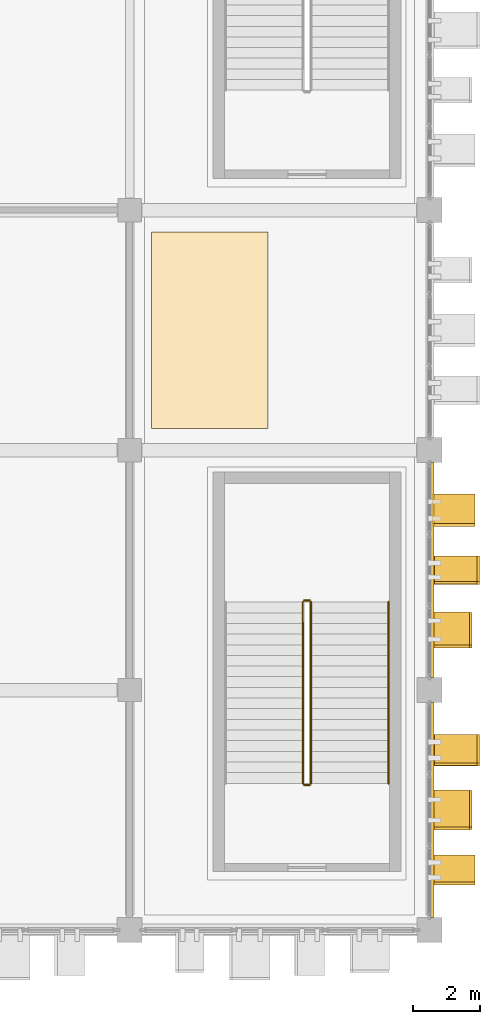
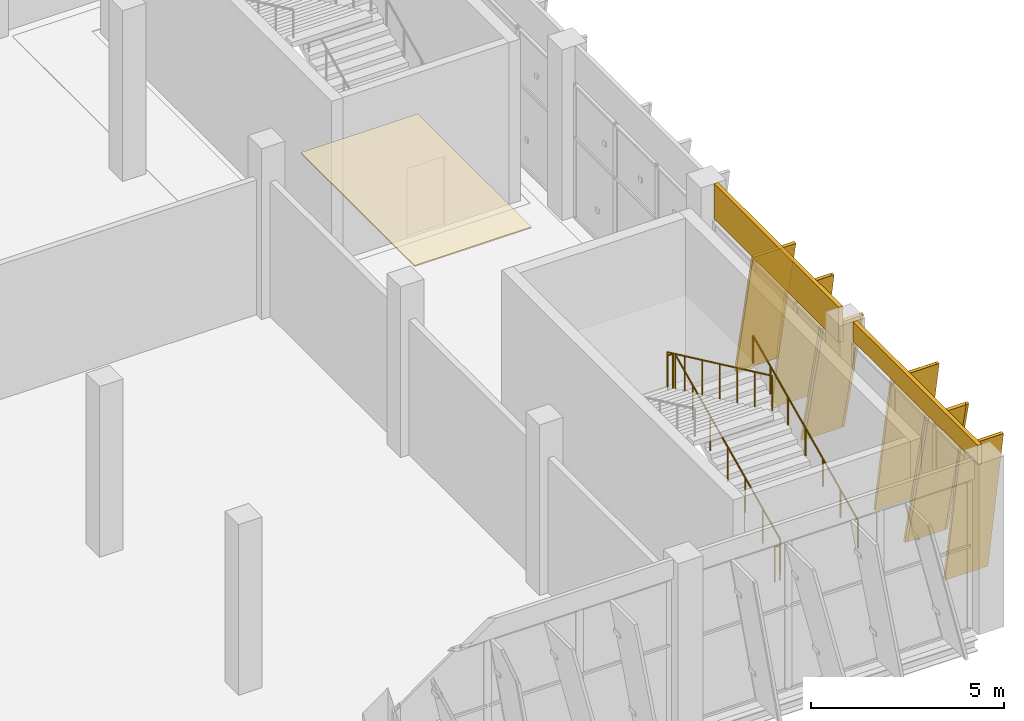
# One storey, part 171 of 189: 9 coverings, 6 shading devices, 5 railings.
"""IFC4 building model written with IfcOpenShell, lengths in metres."""

from ifc_helpers import new_model, si_unit, direction, frame, origin, origin_2d, place, context, subcontext, project, spatial, polyline, rectangle, circle, outline, extrude, material, layer, layer_set, material_profile, profile_set, type_object, element, save


model = new_model("IFC4")

# Units and contexts
model_context = context("Model", 3, precision=1e-05, world=origin(), true_north=direction((0.0, 1.0)))
body_context = subcontext(model_context, "Body", "Model", "MODEL_VIEW")
ifc_project = project(units=[si_unit("LENGTHUNIT", "METRE"), si_unit("AREAUNIT", "SQUARE_METRE"), si_unit("VOLUMEUNIT", "CUBIC_METRE"), si_unit("PLANEANGLEUNIT", "RADIAN"), si_unit("MASSUNIT", "GRAM", prefix="KILO")], contexts=[model_context])

# Site, building, storey
site_placement = place(None, origin())
site = spatial("IfcSite", under=ifc_project, at=site_placement, CompositionType="ELEMENT")
building_placement = place(site_placement, origin())
building = spatial("IfcBuilding", under=site, at=building_placement, Name="Celestram Park Convention Centre", CompositionType="ELEMENT")
storey_placement = place(building_placement, frame((0.0, 0.0, 5.39990234375)))
storey = spatial("IfcBuildingStorey", under=building, at=storey_placement, Name="L01", CompositionType="ELEMENT", Elevation=5.39990234375)

# Coverings
ifc_material_1 = material(Name="Anodised Bronze Aluminium Spandrel Cladding", Category="aluminium")
ifc_layer_1 = layer(ifc_material_1, 0.050048828125)
ifc_layer_set_1 = layer_set([ifc_layer_1], Name="Anodised Bronze Aluminium Spandrel Cladding")
covering_type_1 = type_object("IfcCoveringType", Name="ARC-COV-CLD060", PredefinedType="CLADDING", material=ifc_layer_set_1)
covering_1_placement = place(storey_placement, frame((216.080078125, 10.800048828125, 4.2841796875), z_axis=(0.0, 0.0, 1.0), x_axis=(0.0, -1.0, 0.0)))
element("IfcCovering", 1, at=covering_1_placement, inside=storey, type_object=covering_type_1, Name="Bronze spandrel cladding CL-L01-104", PredefinedType="CLADDING", context=body_context, shape_type="SweptSolid", body=[
    extrude(rectangle(XDim=6.4541015625, YDim=0.1201171875, at=origin_2d()), origin(), (0.0, 0.0, 1.0), 1.115966796875),
])
covering_2_placement = place(storey_placement, frame((216.080078125, 3.60009765625, 4.7841796875), z_axis=(0.0, 0.0, 1.0), x_axis=(0.0, -1.0, 0.0)))
element("IfcCovering", 2, at=covering_2_placement, inside=storey, type_object=covering_type_1, Name="Bronze spandrel cladding CL-L01-105", PredefinedType="CLADDING", context=body_context, shape_type="SweptSolid", body=[
    extrude(rectangle(XDim=6.4541015625, YDim=0.1201171875, at=origin_2d()), origin(), (0.0, 0.0, 1.0), 0.615966796875),
])
ifc_material_2 = material(Name="Perforated Acoustic Mineral-Fibre Baffle Ceiling", Category="gypsum")
ifc_layer_2 = layer(ifc_material_2, 0.0400390625)
ifc_layer_set_2 = layer_set([ifc_layer_2], Name="Perforated Acoustic Mineral-Fibre Baffle Ceiling")
covering_type_2 = type_object("IfcCoveringType", Name="ARC-COV-CLG040", PredefinedType="CEILING", material=ifc_layer_set_2)
covering_3_placement = place(storey_placement, frame((0.0, 0.0, 5.080078125)))
element("IfcCovering", 3, at=covering_3_placement, inside=storey, type_object=covering_type_2, Name="Banquet East Stair Lobby L01 acoustic baffle ceiling", PredefinedType="CEILING", context=body_context, shape_type="SweptSolid", body=[
    extrude(outline(polyline([(207.64990234375, 15.050048828125), (211.14990234375, 15.050048828125), (211.14990234375, 20.949951171875), (207.64990234375, 20.949951171875), (207.64990234375, 15.050048828125)])), origin(), (0.0, 0.0, 1.0), 0.0400390625),
])
ifc_material_3 = material(Name="Timber-Toned Anodised Aluminium Alloy 6063-T6", Category="wood")
ifc_material_profile_1 = material_profile(ifc_material_3, rectangle(XDim=1.1201171875, YDim=0.090087890625, at=origin_2d()), Name="REED1120X90")
ifc_profile_set_1 = profile_set([ifc_material_profile_1], Name="Timber-Toned Anodised Aluminium Alloy 6063-T6")
covering_type_3 = type_object("IfcCoveringType", Name="ARC-COV-FIN1120", PredefinedType="CLADDING", material=ifc_profile_set_1)
covering_4_placement = place(storey_placement, frame((216.639892578125, 9.492919921875, 0.06298828125), z_axis=(0.0, -0.231744667223, 0.972776649192), x_axis=(1.0, 0.0, 0.0)))
element("IfcCovering", 4, at=covering_4_placement, inside=storey, type_object=covering_type_3, Name="Leaning timber-toned reed fin RFN-L01-0316", PredefinedType="CLADDING", context=body_context, shape_type="SweptSolid", body=[
    extrude(rectangle(XDim=1.1201171875, YDim=0.090087890625, at=origin_2d()), origin(), (0.0, 0.0, 1.0), 4.25390625),
])
covering_5_placement = place(storey_placement, frame((216.639892578125, 4.15087890625, 0.06982421875), z_axis=(0.0, -0.231766325176, 0.972771489361), x_axis=(1.0, 0.0, 0.0)))
element("IfcCovering", 5, at=covering_5_placement, inside=storey, type_object=covering_type_3, Name="Leaning timber-toned reed fin RFN-L01-0318", PredefinedType="CLADDING", context=body_context, shape_type="SweptSolid", body=[
    extrude(rectangle(XDim=1.1201171875, YDim=0.090087890625, at=origin_2d()), origin(), (0.0, 0.0, 1.0), 4.75390625),
])
ifc_material_profile_2 = material_profile(ifc_material_3, rectangle(XDim=1.280029296875, YDim=0.090087890625, at=origin_2d()), Name="REED1280X90")
ifc_profile_set_2 = profile_set([ifc_material_profile_2], Name="Timber-Toned Anodised Aluminium Alloy 6063-T6")
covering_type_4 = type_object("IfcCoveringType", Name="ARC-COV-FIN1280", PredefinedType="CLADDING", material=ifc_profile_set_2)
covering_6_placement = place(storey_placement, frame((216.719970703125, 13.0458984375, 0.052490234375), z_axis=(0.0, -0.209650588793, 0.977776370454), x_axis=(1.0, 0.0, 0.0)))
element("IfcCovering", 6, at=covering_6_placement, inside=storey, type_object=covering_type_4, Name="Leaning timber-toned reed fin RFN-L01-0314", PredefinedType="CLADDING", context=body_context, shape_type="SweptSolid", body=[
    extrude(rectangle(XDim=1.280029296875, YDim=0.090087890625, at=origin_2d()), origin(), (0.0, 0.0, 1.0), 4.25390625),
])
covering_7_placement = place(storey_placement, frame((216.719970703125, 2.20458984375, 0.039794921875), z_axis=(0.0, -0.170192389469, 0.985410853688), x_axis=(1.0, 0.0, 0.0)))
element("IfcCovering", 7, at=covering_7_placement, inside=storey, type_object=covering_type_4, Name="Leaning timber-toned reed fin RFN-L01-0319", PredefinedType="CLADDING", context=body_context, shape_type="SweptSolid", body=[
    extrude(rectangle(XDim=1.280029296875, YDim=0.090087890625, at=origin_2d()), origin(), (0.0, 0.0, 1.0), 4.75390625),
])
ifc_material_profile_3 = material_profile(ifc_material_3, rectangle(XDim=1.419921875, YDim=0.090087890625, at=origin_2d()), Name="REED1420X90")
ifc_profile_set_3 = profile_set([ifc_material_profile_3], Name="Timber-Toned Anodised Aluminium Alloy 6063-T6")
covering_type_5 = type_object("IfcCoveringType", Name="ARC-COV-FIN1420", PredefinedType="CLADDING", material=ifc_profile_set_3)
covering_8_placement = place(storey_placement, frame((216.7900390625, 11.18408203125, 0.0400390625), z_axis=(0.0, -0.180551813671, 0.983565474475), x_axis=(1.0, 0.0, 0.0)))
element("IfcCovering", 8, at=covering_8_placement, inside=storey, type_object=covering_type_5, Name="Leaning timber-toned reed fin RFN-L01-0315", PredefinedType="CLADDING", context=body_context, shape_type="SweptSolid", body=[
    extrude(rectangle(XDim=1.419921875, YDim=0.090087890625, at=origin_2d()), origin(), (0.0, 0.0, 1.0), 4.25390625),
])
covering_9_placement = place(storey_placement, frame((216.7900390625, 5.8291015625, 0.044189453125), z_axis=(0.0, -0.180516672672, 0.983571924613), x_axis=(1.0, 0.0, 0.0)))
element("IfcCovering", 9, at=covering_9_placement, inside=storey, type_object=covering_type_5, Name="Leaning timber-toned reed fin RFN-L01-0317", PredefinedType="CLADDING", context=body_context, shape_type="SweptSolid", body=[
    extrude(rectangle(XDim=1.419921875, YDim=0.090087890625, at=origin_2d()), origin(), (0.0, 0.0, 1.0), 4.75390625),
])

# Shading devices
ifc_material_4 = material(Name="Anodised Bronze Aluminium Alloy 6063-T6", Category="aluminium")
ifc_material_profile_4 = material_profile(ifc_material_4, rectangle(XDim=1.280029296875, YDim=0.080078125, at=origin_2d()), Name="FIN1280X80")
ifc_profile_set_4 = profile_set([ifc_material_profile_4], Name="Anodised Bronze Aluminium Alloy 6063-T6")
shading_device_type = type_object("IfcShadingDeviceType", Name="ARC-FIN-BZ1280", PredefinedType="USERDEFINED", material=ifc_profile_set_4)
for number, where, z_axis, x_axis, name in (
    (10, (216.719970703125, 13.0458984375, 0.052490234375), (0.0, -0.209650588793, 0.977776370454), (1.0, 0.0, 0.0), "Expressive solar fin FN-L01-0314"),
    (11, (216.7900390625, 11.18408203125, 0.0400390625), (0.0, -0.180551813671, 0.983565474475), (1.0, 0.0, 0.0), "Expressive solar fin FN-L01-0315"),
    (12, (216.639892578125, 9.492919921875, 0.06298828125), (0.0, -0.231744667223, 0.972776649192), (1.0, 0.0, 0.0), "Expressive solar fin FN-L01-0316"),
):
    element("IfcShadingDevice", number, at=place(storey_placement, frame(where, z_axis=z_axis, x_axis=x_axis)), inside=storey, type_object=shading_device_type, Name=name, ObjectType="SOLAR_FIN", PredefinedType="USERDEFINED", context=body_context, shape_type="SweptSolid", body=[
        extrude(rectangle(XDim=1.280029296875, YDim=0.080078125, at=origin_2d()), origin(), (0.0, 0.0, 1.0), 4.25390625),
    ])
for number, where, z_axis, x_axis, name in (
    (13, (216.7900390625, 5.8291015625, 0.044189453125), (0.0, -0.180516672672, 0.983571924613), (1.0, 0.0, 0.0), "Expressive solar fin FN-L01-0317"),
    (14, (216.639892578125, 4.15087890625, 0.06982421875), (0.0, -0.231766325176, 0.972771489361), (1.0, 0.0, 0.0), "Expressive solar fin FN-L01-0318"),
    (15, (216.719970703125, 2.20458984375, 0.039794921875), (0.0, -0.170192389469, 0.985410853688), (1.0, 0.0, 0.0), "Expressive solar fin FN-L01-0319"),
):
    element("IfcShadingDevice", number, at=place(storey_placement, frame(where, z_axis=z_axis, x_axis=x_axis)), inside=storey, type_object=shading_device_type, Name=name, ObjectType="SOLAR_FIN", PredefinedType="USERDEFINED", context=body_context, shape_type="SweptSolid", body=[
        extrude(rectangle(XDim=1.280029296875, YDim=0.080078125, at=origin_2d()), origin(), (0.0, 0.0, 1.0), 4.75390625),
    ])

# Railings
ifc_material_5 = material(Name="Stainless Steel AISI 316L & Laminated Glass", Category="steel")
ifc_layer_3 = layer(ifc_material_5, 0.06005859375)
ifc_layer_set_3 = layer_set([ifc_layer_3], Name="Stainless Steel AISI 316L & Laminated Glass")
railing_type_1 = type_object("IfcRailingType", Name="ARC-RL-GRD1120", PredefinedType="GUARDRAIL", material=ifc_layer_set_3)
railing_1_placement = place(storey_placement, frame((212.43603515625, 4.39990234375, 0.150146484375)))
element("IfcRailing", 16, at=railing_1_placement, inside=storey, type_object=railing_type_1, Name="L01 ST-11 stair guard 1", PredefinedType="GUARDRAIL", context=body_context, shape_type="SweptSolid", body=[
    extrude(circle(Radius=0.02392578125, at=origin_2d()), frame((0.0, 0.0, 1.09619140625), z_axis=(0.0, 0.905461375974, 0.424428670827), x_axis=(-1.0, 0.0, 0.0)), (0.0, 0.0, 1.0), 6.00830078125),
    extrude(circle(Radius=0.02099609375, at=origin_2d()), origin(), (0.0, 0.0, 1.0), 1.072021484375),
    extrude(circle(Radius=0.02099609375, at=origin_2d()), frame((0.0, 0.90673828125, 0.425048828125)), (0.0, 0.0, 1.0), 1.072021484375),
    extrude(circle(Radius=0.02099609375, at=origin_2d()), frame((0.0, 1.8134765625, 0.85009765625)), (0.0, 0.0, 1.0), 1.072021484375),
    extrude(circle(Radius=0.02099609375, at=origin_2d()), frame((0.0, 2.72021484375, 1.27490234375)), (0.0, 0.0, 1.0), 1.072021484375),
    extrude(circle(Radius=0.02099609375, at=origin_2d()), frame((0.0, 3.626708984375, 1.699951171875)), (0.0, 0.0, 1.0), 1.072021484375),
    extrude(circle(Radius=0.02099609375, at=origin_2d()), frame((0.0, 4.533447265625, 2.125)), (0.0, 0.0, 1.0), 1.072021484375),
    extrude(circle(Radius=0.02099609375, at=origin_2d()), frame((0.0, 5.440185546875, 2.550048828125)), (0.0, 0.0, 1.0), 1.072021484375),
])
railing_2_placement = place(storey_placement, frame((212.39990234375, 9.889892578125, 2.7001953125)))
element("IfcRailing", 17, at=railing_2_placement, inside=storey, type_object=railing_type_1, Name="L01 ST-11 stair guard 2", PredefinedType="GUARDRAIL", context=body_context, shape_type="SweptSolid", body=[
    extrude(circle(Radius=0.02392578125, at=origin_2d()), frame((0.0, 0.0, 1.09619140625), z_axis=(-1.0, 0.0, 0.0), x_axis=(0.0, -1.0, 0.0)), (0.0, 0.0, 1.0), 0.159912109375),
    extrude(circle(Radius=0.02099609375, at=origin_2d()), origin(), (0.0, 0.0, 1.0), 1.072021484375),
    extrude(circle(Radius=0.02099609375, at=origin_2d()), frame((-0.159912109375, 0.0, 0.0)), (0.0, 0.0, 1.0), 1.072021484375),
])
railing_3_placement = place(storey_placement, frame((212.2041015625, 9.840087890625, 2.85009765625)))
element("IfcRailing", 18, at=railing_3_placement, inside=storey, type_object=railing_type_1, Name="L01 ST-11 stair guard 3", PredefinedType="GUARDRAIL", context=body_context, shape_type="SweptSolid", body=[
    extrude(circle(Radius=0.02392578125, at=origin_2d()), frame((0.0, 0.0, 1.09619140625), z_axis=(0.0, -0.905461375974, 0.424428670827), x_axis=(1.0, 0.0, 0.0)), (0.0, 0.0, 1.0), 6.00830078125),
    extrude(circle(Radius=0.02099609375, at=origin_2d()), origin(), (0.0, 0.0, 1.0), 1.072021484375),
    extrude(circle(Radius=0.02099609375, at=origin_2d()), frame((0.0, -0.90673828125, 0.425048828125)), (0.0, 0.0, 1.0), 1.072021484375),
    extrude(circle(Radius=0.02099609375, at=origin_2d()), frame((0.0, -1.8134765625, 0.85009765625)), (0.0, 0.0, 1.0), 1.072021484375),
    extrude(circle(Radius=0.02099609375, at=origin_2d()), frame((0.0, -2.72021484375, 1.27490234375)), (0.0, 0.0, 1.0), 1.072021484375),
    extrude(circle(Radius=0.02099609375, at=origin_2d()), frame((0.0, -3.626708984375, 1.699951171875)), (0.0, 0.0, 1.0), 1.072021484375),
    extrude(circle(Radius=0.02099609375, at=origin_2d()), frame((0.0, -4.533447265625, 2.125)), (0.0, 0.0, 1.0), 1.072021484375),
    extrude(circle(Radius=0.02099609375, at=origin_2d()), frame((0.0, -5.440185546875, 2.550048828125)), (0.0, 0.0, 1.0), 1.072021484375),
])
railing_4_placement = place(storey_placement, frame((212.39990234375, 4.35009765625, 0.0)))
element("IfcRailing", 19, at=railing_4_placement, inside=storey, type_object=railing_type_1, Name="L01 ST-11 stair guard 4", PredefinedType="GUARDRAIL", context=body_context, shape_type="SweptSolid", body=[
    extrude(circle(Radius=0.02392578125, at=origin_2d()), frame((0.0, 0.0, 1.09619140625), z_axis=(-1.0, 0.0, 0.0), x_axis=(0.0, -1.0, 0.0)), (0.0, 0.0, 1.0), 0.159912109375),
    extrude(circle(Radius=0.02099609375, at=origin_2d()), origin(), (0.0, 0.0, 1.0), 1.072021484375),
    extrude(circle(Radius=0.02099609375, at=origin_2d()), frame((-0.159912109375, 0.0, 0.0)), (0.0, 0.0, 1.0), 1.072021484375),
])
ifc_material_6 = material(Name="Brushed Stainless Steel AISI 304", Category="steel")
ifc_layer_4 = layer(ifc_material_6, 0.048095703125)
ifc_layer_set_4 = layer_set([ifc_layer_4], Name="Brushed Stainless Steel AISI 304")
railing_type_2 = type_object("IfcRailingType", Name="ARC-RL-HND915", PredefinedType="HANDRAIL", material=ifc_layer_set_4)
railing_5_placement = place(storey_placement, frame((214.763916015625, 4.39990234375, 0.150146484375)))
element("IfcRailing", 20, at=railing_5_placement, inside=storey, type_object=railing_type_2, Name="L01 ST-11 stair handrail 1", PredefinedType="HANDRAIL", context=body_context, shape_type="SweptSolid", body=[
    extrude(circle(Radius=0.02392578125, at=origin_2d()), frame((0.0, 0.0, 0.8759765625), z_axis=(0.0, 0.905461375974, 0.424428670827), x_axis=(-1.0, 0.0, 0.0)), (0.0, 0.0, 1.0), 6.00830078125),
    extrude(circle(Radius=0.02099609375, at=origin_2d()), origin(), (0.0, 0.0, 1.0), 0.851806640625),
    extrude(circle(Radius=0.02099609375, at=origin_2d()), frame((0.0, 0.90673828125, 0.425048828125)), (0.0, 0.0, 1.0), 0.851806640625),
    extrude(circle(Radius=0.02099609375, at=origin_2d()), frame((0.0, 1.8134765625, 0.85009765625)), (0.0, 0.0, 1.0), 0.851806640625),
    extrude(circle(Radius=0.02099609375, at=origin_2d()), frame((0.0, 2.72021484375, 1.27490234375)), (0.0, 0.0, 1.0), 0.851806640625),
    extrude(circle(Radius=0.02099609375, at=origin_2d()), frame((0.0, 3.626708984375, 1.699951171875)), (0.0, 0.0, 1.0), 0.851806640625),
    extrude(circle(Radius=0.02099609375, at=origin_2d()), frame((0.0, 4.533447265625, 2.125)), (0.0, 0.0, 1.0), 0.851806640625),
    extrude(circle(Radius=0.02099609375, at=origin_2d()), frame((0.0, 5.440185546875, 2.550048828125)), (0.0, 0.0, 1.0), 0.851806640625),
])

save(model, "model.ifc")
